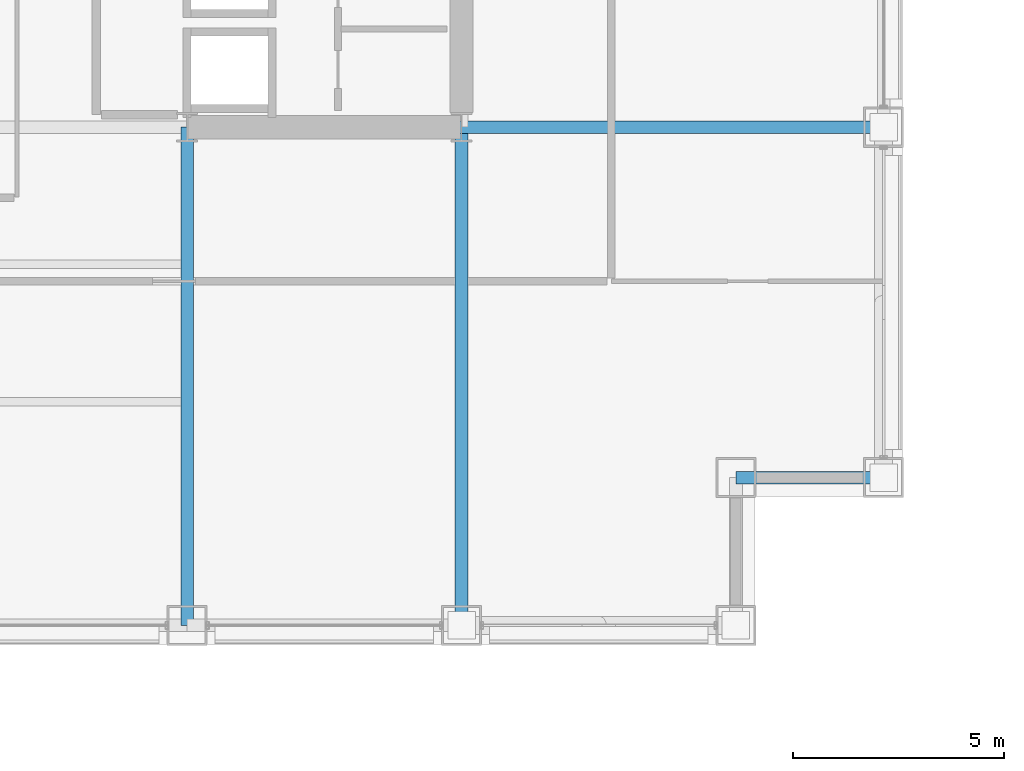
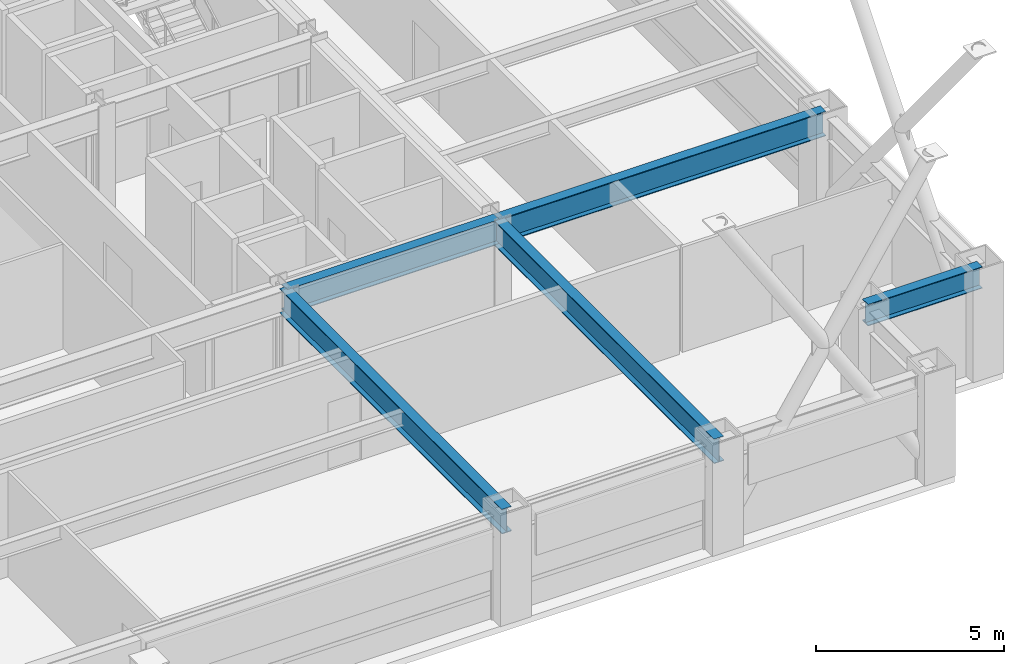
# One storey, part 12 of 33: 5 beams.
"""IFC4 building model written with IfcOpenShell, lengths in metres."""

import ifcopenshell
import ifcopenshell.guid

model = None  # the IFC model being written
_history = None  # IfcOwnerHistory: only IFC2X3 demands one
_inside = {}  # id of a spatial element -> (the spatial element, [elements in it])
_under = {}  # id of a project, library or spatial element -> (it, [spatial elements below it])
_declared = {}  # id of a project -> (the project, [libraries it declares])
_typed = {}  # id of a type object -> (the type object, [elements of that type])
_made_of = {}  # id of a material, layer set ... -> (it, [elements and type objects made of it])


def new_model(schema):
    """Start an empty IFC model of exactly this schema.

    Asked for "IFC4X3", IfcOpenShell would pick the latest addendum, in which some entities
    have other attributes; the version numbers below select the first issue.
    IFC2X3 requires an IfcOwnerHistory on every rooted entity: one is made here for all.
    """
    global model, _history
    if schema == "IFC4X3":
        model = ifcopenshell.file(schema_version=(4, 3, 0, 0))
    else:
        model = ifcopenshell.file(schema=schema)
    _inside.clear()
    _under.clear()
    _declared.clear()
    _typed.clear()
    _made_of.clear()
    _history = None
    if model.schema == "IFC2X3":
        org = make("IfcOrganization", Name="unknown")
        user = make(
            "IfcPersonAndOrganization",
            ThePerson=make("IfcPerson", FamilyName="unknown"),
            TheOrganization=org,
        )
        app = make(
            "IfcApplication",
            ApplicationDeveloper=org,
            Version="unknown",
            ApplicationFullName="unknown",
            ApplicationIdentifier="unknown",
        )
        _history = make(
            "IfcOwnerHistory",
            OwningUser=user,
            OwningApplication=app,
            ChangeAction="ADDED",
            CreationDate=0,
        )
    return model


def make(cls, **values):
    """One entity of the class cls with the attributes given. An attribute that is None is left unset."""
    return model.create_entity(
        cls, **{name: value for name, value in values.items() if value is not None}
    )


def rooted(cls, **values):
    """An entity with a GlobalId (a new one), such as an element, a storey or a relation."""
    return make(cls, GlobalId=ifcopenshell.guid.new(), OwnerHistory=_history, **values)


def si_unit(unit_type, name, prefix=None):
    """IfcSIUnit, for example si_unit("LENGTHUNIT", "METRE", prefix="MILLI")."""
    return make("IfcSIUnit", UnitType=unit_type, Prefix=prefix, Name=name)


def assignment(units):
    """IfcUnitAssignment: the units of a project."""
    return None if units is None else make("IfcUnitAssignment", Units=units)


def point(xyz):
    """IfcCartesianPoint."""
    return None if xyz is None else make("IfcCartesianPoint", Coordinates=xyz)


def direction(xyz):
    """IfcDirection."""
    return None if xyz is None else make("IfcDirection", DirectionRatios=xyz)


def frame(location, z_axis=None, x_axis=None):
    """IfcAxis2Placement3D, a coordinate frame: its origin and axes. An axis left out is left unset."""
    return make(
        "IfcAxis2Placement3D",
        Location=point(location),
        Axis=direction(z_axis),
        RefDirection=direction(x_axis),
    )


def frame_2d(location, x_axis=None):
    """IfcAxis2Placement2D, a coordinate frame in the plane: its origin and x axis."""
    return make(
        "IfcAxis2Placement2D", Location=point(location), RefDirection=direction(x_axis)
    )


def origin():
    """The frame at (0, 0, 0) with its axes left unset."""
    return frame((0.0, 0.0, 0.0))


def origin_2d():
    """The frame at (0, 0) in the plane with its x axis left unset."""
    return frame_2d((0.0, 0.0))


def place(relative_to, where):
    """IfcLocalPlacement: puts the frame where relative to a parent placement (None: the world)."""
    return make(
        "IfcLocalPlacement", PlacementRelTo=relative_to, RelativePlacement=where
    )


def context(
    kind, dimensions, precision=None, world=None, true_north=None, identifier=None
):
    """IfcGeometricRepresentationContext, for example the 3D "Model" context."""
    return make(
        "IfcGeometricRepresentationContext",
        ContextIdentifier=identifier,
        ContextType=kind,
        CoordinateSpaceDimension=dimensions,
        Precision=precision,
        WorldCoordinateSystem=world,
        TrueNorth=true_north,
    )


def subcontext(parent, identifier, kind, view, scale=None):
    """IfcGeometricRepresentationSubContext, for example "Body" below "Model"."""
    return make(
        "IfcGeometricRepresentationSubContext",
        ContextIdentifier=identifier,
        ContextType=kind,
        ParentContext=parent,
        TargetScale=scale,
        TargetView=view,
    )


def project(units=None, contexts=None):
    """IfcProject with its units and contexts."""
    return rooted(
        "IfcProject",
        Name="project",
        RepresentationContexts=contexts,
        UnitsInContext=assignment(units),
    )


def spatial(cls, under=None, at=None, **own):
    """A site, building, storey or space (cls), placed at a placement, below another one or the project."""
    s = rooted(cls, ObjectPlacement=at, **own)
    if under is not None:
        _under.setdefault(under.id(), (under, []))[1].append(s)
    return s


def profile(cls, at=None, kind="AREA", **sizes):
    """A parametric profile (cls). Its sizes go by their IFC names, for example OverallWidth=200.0."""
    return make(cls, ProfileType=kind, Position=at, **sizes)


def i_section(**sizes):
    """IfcIShapeProfileDef."""
    return profile("IfcIShapeProfileDef", **sizes)


def extrude(swept, where, along, depth):
    """IfcExtrudedAreaSolid: the profile swept, set in the frame where, extruded along a direction by depth."""
    return make(
        "IfcExtrudedAreaSolid",
        SweptArea=swept,
        Position=where,
        ExtrudedDirection=direction(along),
        Depth=depth,
    )


def shape(context_of_items, identifier, shape_type, items):
    """IfcShapeRepresentation: the items that make up one representation, for example the "Body"."""
    return make(
        "IfcShapeRepresentation",
        ContextOfItems=context_of_items,
        RepresentationIdentifier=identifier,
        RepresentationType=shape_type,
        Items=items,
    )


def material(Name=None, Category=None):
    """IfcMaterial."""
    return make("IfcMaterial", Name=Name, Category=Category)


def material_profile(
    of_material, cross_section, Name=None, Category=None, Priority=None
):
    """IfcMaterialProfile: a cross section and its material."""
    return make(
        "IfcMaterialProfile",
        Name=Name,
        Material=of_material,
        Profile=cross_section,
        Priority=Priority,
        Category=Category,
    )


def profile_set(profiles, Name=None, composite=None):
    """IfcMaterialProfileSet."""
    return make(
        "IfcMaterialProfileSet",
        Name=Name,
        MaterialProfiles=profiles,
        CompositeProfile=composite,
    )


def made_of(thing, what):
    """Note that an element or type object is made of a material, layer set ...; save() writes the relation."""
    if what is not None:
        _made_of.setdefault(what.id(), (what, []))[1].append(thing)
    return thing


def type_object(cls, material=None, **own):
    """A type object (cls), such as IfcWallType, which elements share."""
    return made_of(rooted(cls, **own), material)


def element(
    cls,
    number,
    at=None,
    inside=None,
    cuts=None,
    type_object=None,
    material=None,
    context=None,
    identifier="Body",
    shape_type=None,
    held_by="IfcProductDefinitionShape",
    body=None,
    shapes=None,
    **own,
):
    """One element of the class cls, such as IfcWall. Its Tag is "e" and its number.

    at: its placement. inside: the storey or other place that contains it. cuts: it is an
    opening in that element (IfcRelVoidsElement). A single representation is given by context,
    identifier, shape_type and body (its items); several are given by shapes. held_by: the class
    of the entity that holds the representations. save() writes the other relations.
    """
    e = rooted(cls, Tag="e%d" % number, ObjectPlacement=at, **own)
    if body is not None:
        shapes = [shape(context, identifier, shape_type, body)]
    if shapes is not None:
        e.Representation = make(held_by, Representations=shapes)
    if inside is not None:
        _inside.setdefault(inside.id(), (inside, []))[1].append(e)
    if cuts is not None:
        rooted(
            "IfcRelVoidsElement", RelatingBuildingElement=cuts, RelatedOpeningElement=e
        )
    if type_object is not None:
        _typed.setdefault(type_object.id(), (type_object, []))[1].append(e)
    return made_of(e, material)


def aggregate(whole, parts):
    """IfcRelAggregates: a whole, such as a stair, and the parts it consists of."""
    return rooted("IfcRelAggregates", RelatingObject=whole, RelatedObjects=parts)


def save(model, path):
    """Write the relations noted so far, then the file.

    IfcRelAggregates (storeys below a building ...), IfcRelContainedInSpatialStructure (elements
    in a storey), IfcRelDefinesByType, IfcRelAssociatesMaterial and IfcRelDeclares: one each for
    every whole, place, type object, material and project.
    """
    for whole, parts in _under.values():
        aggregate(whole, parts)
    for where, things in _inside.values():
        rooted(
            "IfcRelContainedInSpatialStructure",
            RelatedElements=things,
            RelatingStructure=where,
        )
    for kind, things in _typed.values():
        rooted("IfcRelDefinesByType", RelatedObjects=things, RelatingType=kind)
    for what, things in _made_of.values():
        rooted("IfcRelAssociatesMaterial", RelatedObjects=things, RelatingMaterial=what)
    for by, libraries in _declared.values():
        rooted("IfcRelDeclares", RelatingContext=by, RelatedDefinitions=libraries)
    model.write(path)


model = new_model("IFC4")

# Units and contexts
model_context = context("Model", 3, precision=1e-05, world=origin(), true_north=direction((0.0, 1.0)))
body_context = subcontext(model_context, "Body", "Model", "MODEL_VIEW")
ifc_project = project(units=[si_unit("LENGTHUNIT", "METRE"), si_unit("AREAUNIT", "SQUARE_METRE"), si_unit("VOLUMEUNIT", "CUBIC_METRE"), si_unit("PLANEANGLEUNIT", "RADIAN"), si_unit("MASSUNIT", "GRAM", prefix="KILO")], contexts=[model_context])

# Site, building, storey
site_placement = place(None, origin())
site = spatial("IfcSite", under=ifc_project, at=site_placement, CompositionType="ELEMENT")
building_placement = place(site_placement, origin())
building = spatial("IfcBuilding", under=site, at=building_placement, Name="Brelmoor Portico Tower", CompositionType="ELEMENT")
storey_placement = place(building_placement, frame((0.0, 0.0, 34.800048828125)))
storey = spatial("IfcBuildingStorey", under=building, at=storey_placement, Name="L08", CompositionType="ELEMENT", Elevation=34.800048828125)

# Beams
ifc_material = material(Name="Steel Q355B", Category="steel")
ifc_material_profile_1 = material_profile(ifc_material, i_section(OverallWidth=0.300048828125, OverallDepth=0.800048828125, WebThickness=0.013916015625, FlangeThickness=0.02587890625, at=origin_2d()), Name="HN 800x300x14x26")
ifc_profile_set_1 = profile_set([ifc_material_profile_1], Name="Steel Q355B")
beam_type_1 = type_object("IfcBeamType", Name="BM-PG-800", PredefinedType="BEAM", material=ifc_profile_set_1)
for number, where, z_axis, x_axis, name in (
    (1, (8.050048828125, -21.550048828125, 3.0), (0.0, 1.0, 0.0), (-1.0, 0.0, 0.0), "L08 Primary Floor Girder PG-09"),
    (2, (14.550048828125, -21.550048828125, 3.0), (0.0, 1.0, 0.0), (-1.0, 0.0, 0.0), "L08 Primary Floor Girder PG-11"),
):
    element("IfcBeam", number, at=place(storey_placement, frame(where, z_axis=z_axis, x_axis=x_axis)), inside=storey, type_object=beam_type_1, Name=name, PredefinedType="BEAM", context=body_context, shape_type="SweptSolid", body=[
        extrude(i_section(OverallWidth=0.300048828125, OverallDepth=0.800048828125, WebThickness=0.013916015625, FlangeThickness=0.02587890625, at=origin_2d()), origin(), (0.0, 0.0, 1.0), 11.800048828125),
    ])
beam_1_placement = place(storey_placement, frame((8.050048828125, -9.75, 3.0), z_axis=(1.0, 0.0, 0.0), x_axis=(0.0, 1.0, 0.0)))
element("IfcBeam", 3, at=beam_1_placement, inside=storey, type_object=beam_type_1, Name="L08 Primary Floor Girder PG-22", PredefinedType="BEAM", context=body_context, shape_type="SweptSolid", body=[
    extrude(i_section(OverallWidth=0.300048828125, OverallDepth=0.800048828125, WebThickness=0.013916015625, FlangeThickness=0.02587890625, at=origin_2d()), origin(), (0.0, 0.0, 1.0), 6.5),
])
beam_2_placement = place(storey_placement, frame((14.550048828125, -9.75, 3.0), z_axis=(1.0, 0.0, 0.0), x_axis=(0.0, 1.0, 0.0)))
element("IfcBeam", 4, at=beam_2_placement, inside=storey, type_object=beam_type_1, Name="L08 Primary Floor Girder PG-23", PredefinedType="BEAM", context=body_context, shape_type="SweptSolid", body=[
    extrude(i_section(OverallWidth=0.300048828125, OverallDepth=0.800048828125, WebThickness=0.013916015625, FlangeThickness=0.02587890625, at=origin_2d()), origin(), (0.0, 0.0, 1.0), 10.0),
])
ifc_material_profile_2 = material_profile(ifc_material, i_section(OverallWidth=0.300048828125, OverallDepth=0.699951171875, WebThickness=0.012939453125, FlangeThickness=0.02392578125, at=origin_2d()), Name="HN 700x300x13x24")
ifc_profile_set_2 = profile_set([ifc_material_profile_2], Name="Steel Q355B")
beam_type_2 = type_object("IfcBeamType", Name="BM-SP-700", PredefinedType="SPANDREL", material=ifc_profile_set_2)
beam_3_placement = place(storey_placement, frame((21.050048828125, -18.050048828125, 3.050048828125), z_axis=(1.0, 0.0, 0.0), x_axis=(0.0, 1.0, 0.0)))
element("IfcBeam", 5, at=beam_3_placement, inside=storey, type_object=beam_type_2, Name="L08 Perimeter Spandrel Beam SP-07", PredefinedType="SPANDREL", context=body_context, shape_type="SweptSolid", body=[
    extrude(i_section(OverallWidth=0.300048828125, OverallDepth=0.699951171875, WebThickness=0.012939453125, FlangeThickness=0.02392578125, at=origin_2d()), origin(), (0.0, 0.0, 1.0), 3.5),
])

save(model, "model.ifc")
